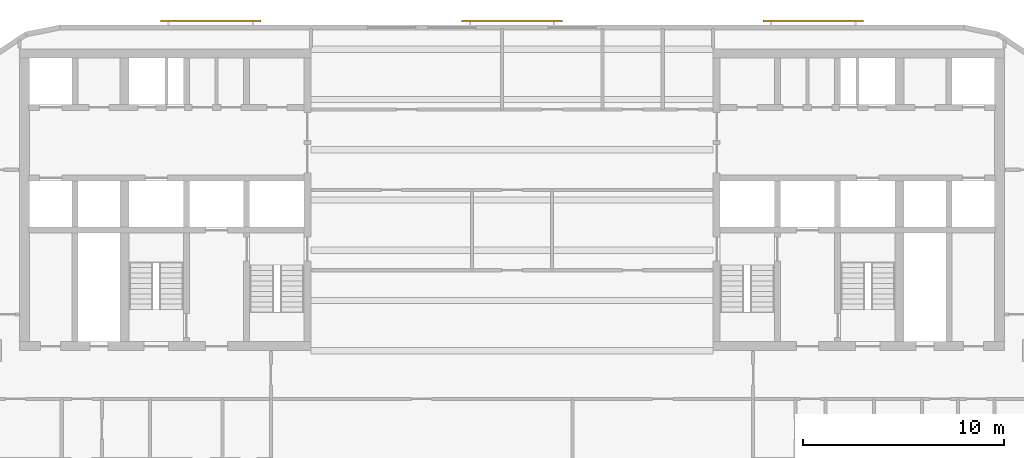
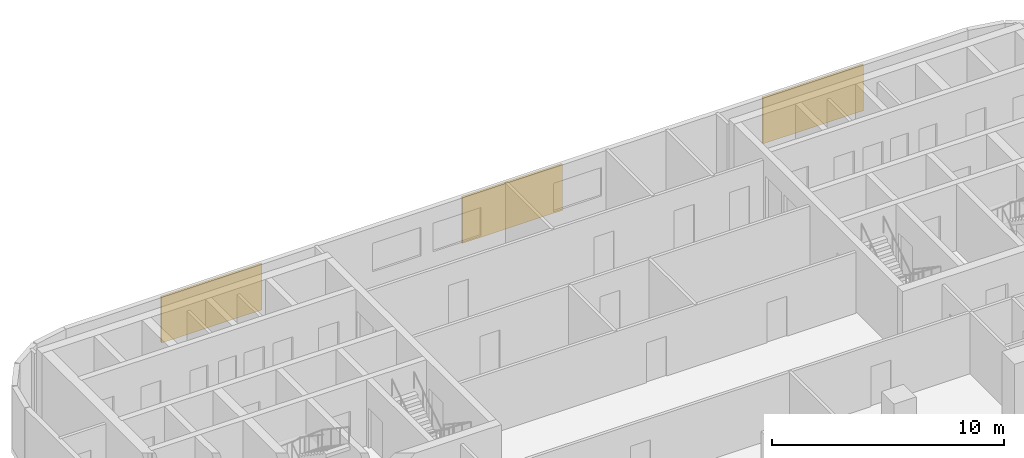
# One storey, part 10 of 11: 3 shading devices.
"""IFC4 building model written with IfcOpenShell, lengths in metres."""

from ifc_helpers import new_model, si_unit, direction, frame, origin, origin_2d, place, context, subcontext, project, spatial, rectangle, extrude, material, layer, layer_set, type_object, element, save


model = new_model("IFC4")

# Units and contexts
model_context = context("Model", 3, precision=1e-05, world=origin(), true_north=direction((0.0, 1.0)))
body_context = subcontext(model_context, "Body", "Model", "MODEL_VIEW")
ifc_project = project(units=[si_unit("LENGTHUNIT", "METRE"), si_unit("AREAUNIT", "SQUARE_METRE"), si_unit("VOLUMEUNIT", "CUBIC_METRE"), si_unit("PLANEANGLEUNIT", "RADIAN"), si_unit("MASSUNIT", "GRAM", prefix="KILO")], contexts=[model_context])

# Site, building, storey
site_placement = place(None, origin())
site = spatial("IfcSite", under=ifc_project, at=site_placement, CompositionType="ELEMENT")
building_placement = place(site_placement, origin())
building = spatial("IfcBuilding", under=site, at=building_placement, Name="Torana Hotel and Residences", CompositionType="ELEMENT")
storey_placement = place(building_placement, frame((0.0, 0.0, 208.10009765625)))
storey = spatial("IfcBuildingStorey", under=building, at=storey_placement, Name="L54", CompositionType="ELEMENT", Elevation=208.10009765625)

# Shading devices
ifc_material = material(Name="Concrete C40/50 precast", Category="concrete")
ifc_layer = layer(ifc_material, 0.10009765625)
ifc_layer_set = layer_set([ifc_layer], Name="SC1 PERFORATED BLOCK SCREEN PANEL 100")
shading_device_type = type_object("IfcShadingDeviceType", Name="SC1 PERFORATED BLOCK SCREEN PANEL 100", PredefinedType="USERDEFINED", material=ifc_layer_set)
for number, where, z_axis, x_axis, name in (
    (1, (14.983642578125, 1.39990234375, 0.5), (0.0, 0.0, 1.0), (-1.0, 0.0, 0.0), "Perforated block screen L54"),
    (2, (0.0, 1.39990234375, 0.5), (0.0, 0.0, 1.0), (-1.0, 0.0, 0.0), "Perforated block screen L54"),
    (3, (-14.983642578125, 1.39990234375, 0.5), (0.0, 0.0, 1.0), (-1.0, 0.0, 0.0), "Perforated block screen L54"),
):
    element("IfcShadingDevice", number, at=place(storey_placement, frame(where, z_axis=z_axis, x_axis=x_axis)), inside=storey, type_object=shading_device_type, Name=name, ObjectType="SCREEN", PredefinedType="USERDEFINED", context=body_context, shape_type="SweptSolid", body=[
        extrude(rectangle(XDim=5.0, YDim=0.10009765625, at=origin_2d()), origin(), (0.0, 0.0, 1.0), 2.419921875),
    ])

save(model, "model.ifc")
